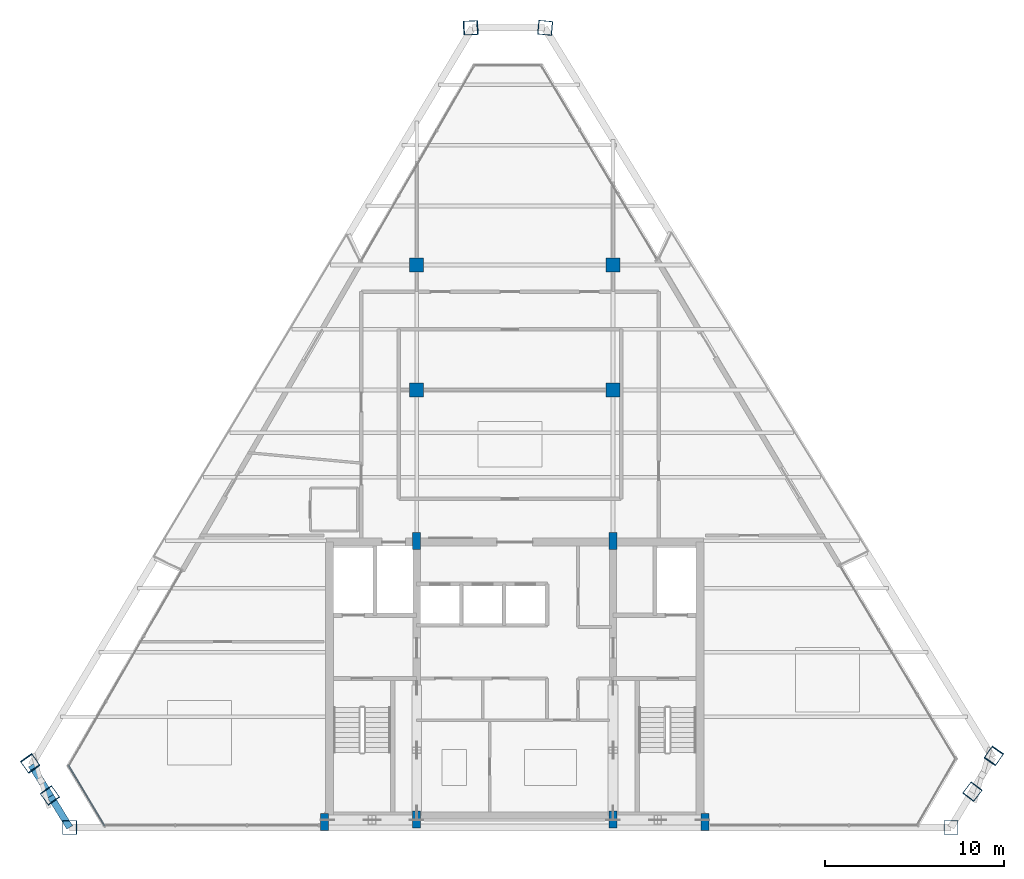
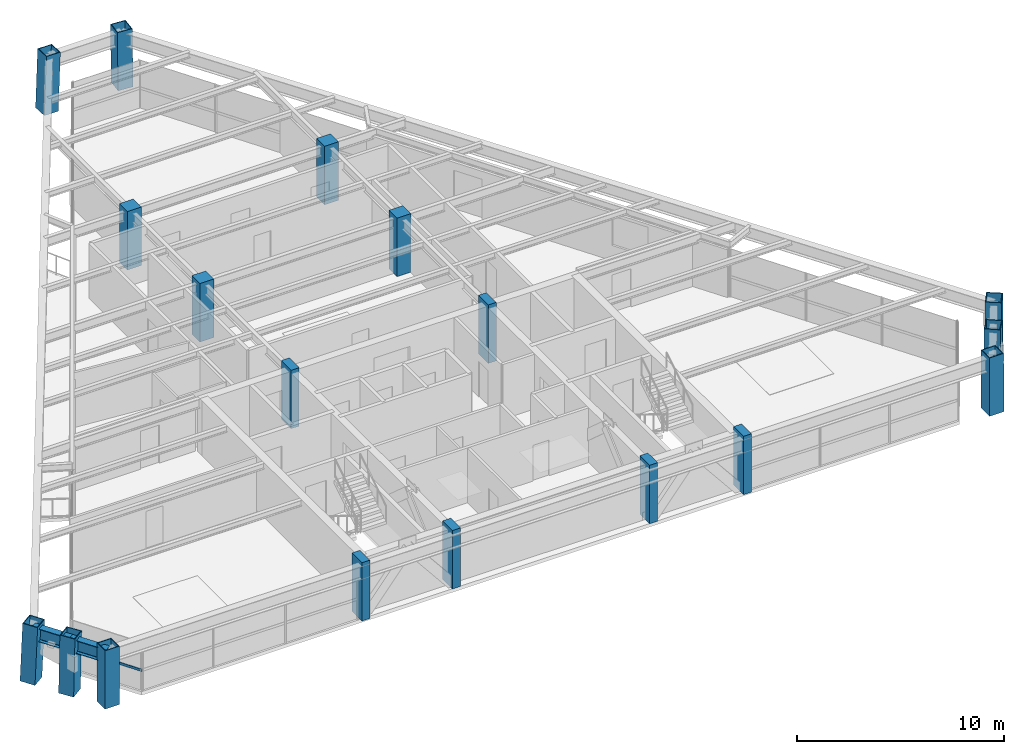
# One storey, part 1 of 13: 18 columns, 2 beams, 1 member, 1 element without a shape of its own.
"""IFC4 building model written with IfcOpenShell, lengths in metres."""

from ifc_helpers import new_model, si_unit, direction, frame, origin, origin_2d, place, context, subcontext, project, spatial, rectangle, hollow_rectangle, i_section, extrude, source, transform, mapped, material, material_profile, profile_set, type_object, type_shapes, element, aggregate, save


model = new_model("IFC4")

# Units and contexts
model_context = context("Model", 3, precision=1e-05, world=origin(), true_north=direction((0.0, 1.0)))
body_context = subcontext(model_context, "Body", "Model", "MODEL_VIEW")
ifc_project = project(units=[si_unit("LENGTHUNIT", "METRE"), si_unit("AREAUNIT", "SQUARE_METRE"), si_unit("VOLUMEUNIT", "CUBIC_METRE"), si_unit("PLANEANGLEUNIT", "RADIAN"), si_unit("MASSUNIT", "GRAM", prefix="KILO")], contexts=[model_context])

# Site, building, storey
site_placement = place(None, origin())
site = spatial("IfcSite", under=ifc_project, at=site_placement, CompositionType="ELEMENT")
building_placement = place(site_placement, origin())
building = spatial("IfcBuilding", under=site, at=building_placement, Name="Varnakhor Terracotta Tower", CompositionType="ELEMENT")
storey_placement = place(building_placement, frame((0.0, 0.0, 269.550048828125)))
storey = spatial("IfcBuildingStorey", under=building, at=storey_placement, Name="L70", CompositionType="ELEMENT", Elevation=269.550048828125)

# Columns
ifc_material_1 = material(Name="Concrete C50/60", Category="concrete")
ifc_material_profile_1 = material_profile(ifc_material_1, rectangle(XDim=0.449951171875, YDim=0.949951171875, at=origin_2d()), Name="RC PILASTER 950x450")
ifc_profile_set_1 = profile_set([ifc_material_profile_1], Name="Concrete C50/60")
column_type_1 = type_object("IfcColumnType", Name="COL-PIL-950x450", PredefinedType="PILASTER", material=ifc_profile_set_1)
shared_shape_1 = source(origin(), body_context, "Body", "SweptSolid", [
    extrude(rectangle(XDim=0.449951171875, YDim=0.949951171875, at=origin_2d()), origin(), (0.0, 0.0, 1.0), 3.449951171875),
])
for number, where, z_axis, x_axis, name in (
    (1, (-10.64990234375, 0.300048828125, 0.0), (0.0, 0.0, 1.0), (1.0, 0.0, 0.0), "L70 Core Pilaster CP1"),
    (2, (-5.5, 0.449951171875, 0.0), (0.0, 0.0, 1.0), (1.0, 0.0, 0.0), "L70 Core Pilaster CP2"),
    (3, (5.5, 0.449951171875, 0.0), (0.0, 0.0, 1.0), (1.0, 0.0, 0.0), "L70 Core Pilaster CP3"),
    (4, (10.64990234375, 0.300048828125, 0.0), (0.0, 0.0, 1.0), (1.0, 0.0, 0.0), "L70 Core Pilaster CP4"),
    (5, (-5.5, 16.050048828125, 0.0), (0.0, 0.0, 1.0), (1.0, 0.0, 0.0), "L70 Core Pilaster CP5"),
    (6, (5.5, 16.050048828125, 0.0), (0.0, 0.0, 1.0), (1.0, 0.0, 0.0), "L70 Core Pilaster CP6"),
):
    element("IfcColumn", number, at=place(storey_placement, frame(where, z_axis=z_axis, x_axis=x_axis)), inside=storey, type_object=column_type_1, Name=name, PredefinedType="PILASTER", context=body_context, shape_type="MappedRepresentation", body=[
        mapped(shared_shape_1, transform((0.0, 0.0, 0.0), scale=1.0)),
    ])
ifc_material_profile_2 = material_profile(ifc_material_1, rectangle(XDim=0.780029296875, YDim=0.780029296875, at=origin_2d()), Name="RC 780x780")
ifc_profile_set_2 = profile_set([ifc_material_profile_2], Name="Concrete C50/60")
column_type_2 = type_object("IfcColumnType", Name="COL-RC-780", PredefinedType="COLUMN", material=ifc_profile_set_2)
shared_shape_2 = source(origin(), body_context, "Body", "SweptSolid", [
    extrude(rectangle(XDim=0.780029296875, YDim=0.780029296875, at=origin_2d()), origin(), (0.0, 0.0, 1.0), 3.449951171875),
])
for number, where, z_axis, x_axis, name in (
    (7, (-5.5, 24.5, 0.0), (0.0, 0.0, 1.0), (1.0, 0.0, 0.0), "L70 Interior Tower Column IC1"),
    (8, (5.5, 24.5, 0.0), (0.0, 0.0, 1.0), (1.0, 0.0, 0.0), "L70 Interior Tower Column IC2"),
    (9, (-5.5, 31.5, 0.0), (0.0, 0.0, 1.0), (1.0, 0.0, 0.0), "L70 Interior Tower Column IC3"),
    (10, (5.5, 31.5, 0.0), (0.0, 0.0, 1.0), (1.0, 0.0, 0.0), "L70 Interior Tower Column IC4"),
):
    element("IfcColumn", number, at=place(storey_placement, frame(where, z_axis=z_axis, x_axis=x_axis)), inside=storey, type_object=column_type_2, Name=name, PredefinedType="COLUMN", context=body_context, shape_type="MappedRepresentation", body=[
        mapped(shared_shape_2, transform((0.0, 0.0, 0.0), scale=1.0)),
    ])
ifc_material_2 = material(Name="Steel S355", Category="steel")
ifc_material_profile_3 = material_profile(ifc_material_2, hollow_rectangle(XDim=0.800048828125, YDim=0.800048828125, WallThickness=0.0400390625, at=origin_2d()), Name="BOX 800x800x40")
ifc_profile_set_3 = profile_set([ifc_material_profile_3], Name="Steel S355")
column_type_3 = type_object("IfcColumnType", Name="COL-MEGA-800", PredefinedType="COLUMN", material=ifc_profile_set_3)
shared_shape_3 = source(origin(), body_context, "Body", "SweptSolid", [
    extrude(hollow_rectangle(XDim=0.800048828125, YDim=0.800048828125, WallThickness=0.0400390625, at=origin_2d()), origin(), (0.0, 0.0, 1.0), 3.44140625),
])
type_shapes(column_type_3, [shared_shape_3])
column_1_placement = place(storey_placement, frame((1.70361328125, 44.776611328125, 0.00439453125), z_axis=(-0.012911294584, 0.001206000044, 0.999915918483), x_axis=(-0.093001763993, -0.995665943926, 0.0)))
element("IfcColumn", 11, at=column_1_placement, inside=storey, type_object=column_type_3, Name="L70 Perimeter Mega-Column M5", PredefinedType="COLUMN", context=body_context, shape_type="MappedRepresentation", body=[
    mapped(shared_shape_3, transform((0.0, 0.0, 0.0), scale=1.0)),
])
shared_shape_4 = source(origin(), body_context, "Body", "SweptSolid", [
    extrude(hollow_rectangle(XDim=0.800048828125, YDim=0.800048828125, WallThickness=0.0400390625, at=origin_2d()), origin(), (0.0, 0.0, 1.0), 3.44189453125),
])
for number, where, z_axis, x_axis, name in (
    (12, (25.629638671875, 2.01171875, 0.00439453125), (-0.01198771904, -0.015747181224, 0.999804141258), (0.795678481308, -0.605719204239, 0.0), "L70 Perimeter Mega-Column M3"),
    (13, (-26.047119140625, 1.80126953125, 0.00439453125), (0.011845709499, -0.016598179777, 0.999792068179), (0.8139684383, 0.580909099129, 0.0), "L70 Perimeter Mega-Column M8"),
):
    element("IfcColumn", number, at=place(storey_placement, frame(where, z_axis=z_axis, x_axis=x_axis)), inside=storey, type_object=column_type_3, Name=name, PredefinedType="COLUMN", context=body_context, shape_type="MappedRepresentation", body=[
        mapped(shared_shape_4, transform((0.0, 0.0, 0.0), scale=1.0)),
    ])
shared_shape_5 = source(origin(), body_context, "Body", "SweptSolid", [
    extrude(hollow_rectangle(XDim=0.800048828125, YDim=0.800048828125, WallThickness=0.0400390625, at=origin_2d()), origin(), (0.0, 0.0, 1.0), 3.441162109375),
])
for number, where, z_axis, x_axis, name in (
    (14, (-24.936279296875, 0.0, 0.00439453125), (0.0003547357, 0.0, 0.999999937081), (1.0, 0.0, 0.0), "L70 Perimeter Mega-Column M1"),
    (15, (24.424560546875, 0.0, 0.00439453125), (-0.002057462832, 0.0, 0.999997883421), (0.0, -1.0, 0.0), "L70 Perimeter Mega-Column M2"),
):
    element("IfcColumn", number, at=place(storey_placement, frame(where, z_axis=z_axis, x_axis=x_axis)), inside=storey, type_object=column_type_3, Name=name, PredefinedType="COLUMN", context=body_context, shape_type="MappedRepresentation", body=[
        mapped(shared_shape_5, transform((0.0, 0.0, 0.0), scale=1.0)),
    ])
shared_shape_6 = source(origin(), body_context, "Body", "SweptSolid", [
    extrude(hollow_rectangle(XDim=0.800048828125, YDim=0.800048828125, WallThickness=0.0400390625, at=origin_2d()), origin(), (0.0, 0.0, 1.0), 3.443603515625),
])
column_2_placement = place(storey_placement, frame((26.834716796875, 4.023681640625, 0.00439453125), z_axis=(-0.021835630741, -0.031548232727, 0.999263686042), x_axis=(0.822258705835, -0.56911389078, 0.0)))
element("IfcColumn", 16, at=column_2_placement, inside=storey, type_object=column_type_3, Name="L70 Perimeter Mega-Column M4", PredefinedType="COLUMN", context=body_context, shape_type="MappedRepresentation", body=[
    mapped(shared_shape_6, transform((0.0, 0.0, 0.0), scale=1.0)),
])
shared_shape_7 = source(origin(), body_context, "Body", "SweptSolid", [
    extrude(hollow_rectangle(XDim=0.800048828125, YDim=0.800048828125, WallThickness=0.0400390625, at=origin_2d()), origin(), (0.0, 0.0, 1.0), 3.443115234375),
])
column_3_placement = place(storey_placement, frame((-2.494384765625, 44.776611328125, 0.00439453125), z_axis=(0.034034874854, 0.001205401818, 0.999419918903), x_axis=(-0.035394475265, 0.999373419259, 0.0)))
element("IfcColumn", 17, at=column_3_placement, inside=storey, type_object=column_type_3, Name="L70 Perimeter Mega-Column M6", PredefinedType="COLUMN", context=body_context, shape_type="MappedRepresentation", body=[
    mapped(shared_shape_7, transform((0.0, 0.0, 0.0), scale=1.0)),
])
shared_shape_8 = source(origin(), body_context, "Body", "SweptSolid", [
    extrude(hollow_rectangle(XDim=0.800048828125, YDim=0.800048828125, WallThickness=0.0400390625, at=origin_2d()), origin(), (0.0, 0.0, 1.0), 3.444091796875),
])
column_4_placement = place(storey_placement, frame((-27.157958984375, 3.6025390625, 0.00439453125), z_axis=(0.023322409048, -0.033175949649, 0.999177372442), x_axis=(0.818080559525, 0.575103641205, 0.0)))
element("IfcColumn", 18, at=column_4_placement, inside=storey, type_object=column_type_3, Name="L70 Perimeter Mega-Column M7", PredefinedType="COLUMN", context=body_context, shape_type="MappedRepresentation", body=[
    mapped(shared_shape_8, transform((0.0, 0.0, 0.0), scale=1.0)),
])

# Beams
ifc_material_profile_4 = material_profile(ifc_material_2, i_section(OverallWidth=0.381103515625, OverallDepth=0.77294921875, WebThickness=0.01708984375, FlangeThickness=0.027099609375, FilletRadius=0.01806640625, at=origin_2d()), Name="W30X173")
ifc_profile_set_4 = profile_set([ifc_material_profile_4], Name="Steel S355")
beam_type = type_object("IfcBeamType", Name="BM-W30X173", PredefinedType="BEAM", material=ifc_profile_set_4)
shared_shape_9 = source(origin(), body_context, "Body", "SweptSolid", [
    extrude(i_section(OverallWidth=0.381103515625, OverallDepth=0.77294921875, WebThickness=0.01708984375, FlangeThickness=0.027099609375, FilletRadius=0.01806640625, at=origin_2d()), origin(), (0.0, 0.0, 1.0), 2.046875),
])
for number, where, z_axis, x_axis, name in (
    (19, (-27.07763671875, 3.48828125, 2.853515625), (0.523378517829, -0.852100303412, 0.0), (0.852100303412, 0.523378517829, 0.0), "L70 Perimeter Spandrel 7"),
    (20, (-26.00634765625, 1.744140625, 2.853515625), (0.523378517829, -0.852100303412, 0.0), (0.852100303412, 0.523378517829, 0.0), "L70 Perimeter Spandrel 8"),
):
    element("IfcBeam", number, at=place(storey_placement, frame(where, z_axis=z_axis, x_axis=x_axis)), inside=storey, type_object=beam_type, Name=name, PredefinedType="BEAM", context=body_context, shape_type="MappedRepresentation", body=[
        mapped(shared_shape_9, transform((0.0, 0.0, 0.0), scale=1.0)),
    ])

# Curtain wall, member
ifc_material_3 = material(Name="Anodised Aluminium Curtain Wall System", Category="aluminium")
curtain_wall_type = type_object("IfcCurtainWallType", Name="CW-SYS-HOTEL-LOGGIA", PredefinedType="NOTDEFINED", material=ifc_material_3)
curtain_wall_placement = place(storey_placement, origin())
curtain_wall = element("IfcCurtainWall", 21, at=curtain_wall_placement, inside=storey, type_object=curtain_wall_type, Name="L70 Facet Curtain Wall 6", PredefinedType="NOTDEFINED")
ifc_material_4 = material(Name="Anodised Aluminium 6063-T6", Category="aluminium")
ifc_material_profile_5 = material_profile(ifc_material_4, rectangle(XDim=0.06494140625, YDim=0.14501953125, at=origin_2d()), Name="ALU TRANSOM 65x145")
ifc_profile_set_5 = profile_set([ifc_material_profile_5], Name="Anodised Aluminium 6063-T6")
member_type = type_object("IfcMemberType", Name="CWT-04", PredefinedType="USERDEFINED", material=ifc_profile_set_5)
shared_shape_10 = source(origin(), body_context, "Body", "SweptSolid", [
    extrude(rectangle(XDim=0.06494140625, YDim=0.14501953125, at=origin_2d()), origin(), (0.0, 0.0, 1.0), 3.94970703125),
])
member_placement = place(storey_placement, frame((-22.9775390625, 0.08740234375, 1.184326171875), z_axis=(-0.51303153912, 0.858369757079, 0.0), x_axis=(-0.858369757079, -0.51303153912, 0.0)))
member = element("IfcMember", 22, at=member_placement, type_object=member_type, Name="L70 Facet Curtain Wall 6 Transom 1", ObjectType="TRANSOM", PredefinedType="USERDEFINED", context=body_context, shape_type="MappedRepresentation", body=[
    mapped(shared_shape_10, transform((0.0, 0.0, 0.0), scale=1.0)),
])
aggregate(curtain_wall, [member])

save(model, "model.ifc")
